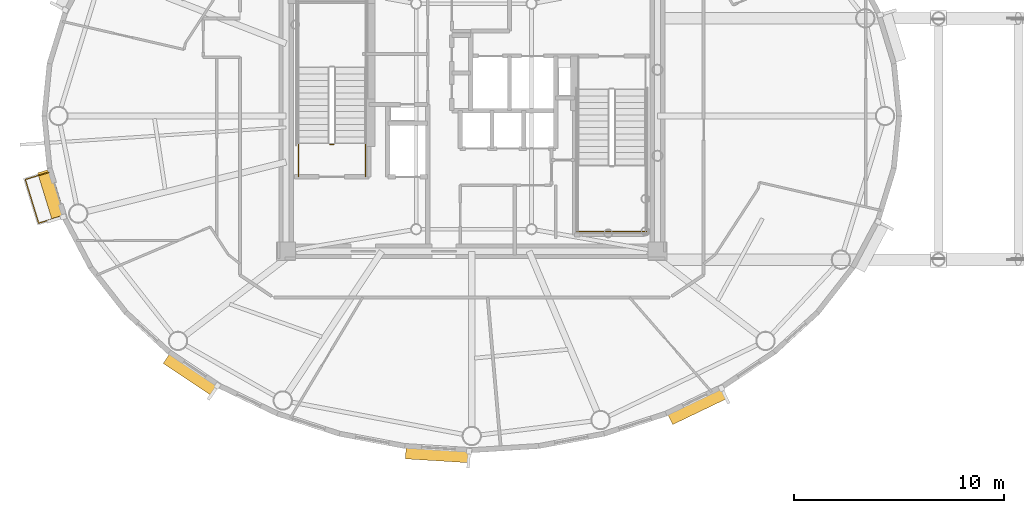
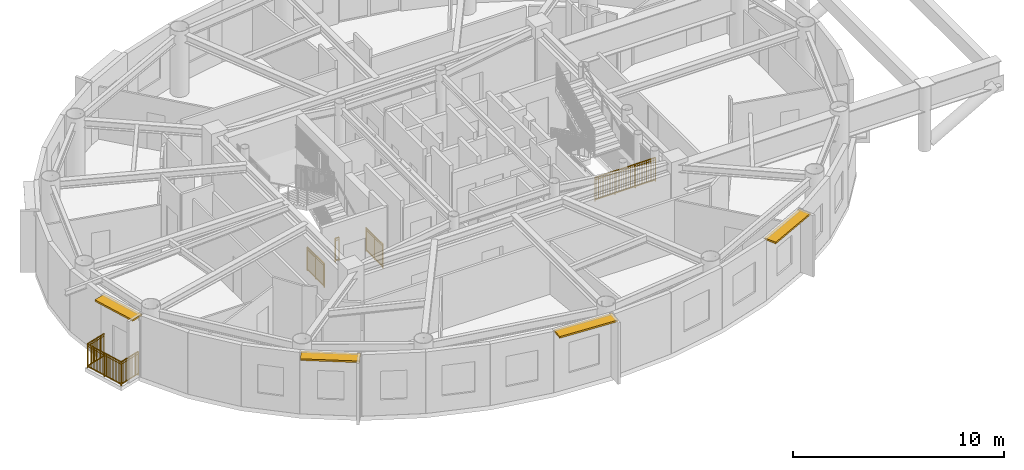
# One storey, part 13 of 19: 5 railings, 4 shading devices.
"""IFC4 building model written with IfcOpenShell, lengths in metres."""

from ifc_helpers import new_model, si_unit, direction, frame, origin, origin_2d, place, context, subcontext, project, spatial, rectangle, extrude, source, transform, mapped, material, layer, layer_set, type_object, element, save


model = new_model("IFC4")

# Units and contexts
model_context = context("Model", 3, precision=1e-05, world=origin(), true_north=direction((0.0, 1.0)))
body_context = subcontext(model_context, "Body", "Model", "MODEL_VIEW")
ifc_project = project(units=[si_unit("LENGTHUNIT", "METRE"), si_unit("AREAUNIT", "SQUARE_METRE"), si_unit("VOLUMEUNIT", "CUBIC_METRE"), si_unit("PLANEANGLEUNIT", "RADIAN"), si_unit("MASSUNIT", "GRAM", prefix="KILO")], contexts=[model_context])

# Site, building, storey
site_placement = place(None, origin())
site = spatial("IfcSite", under=ifc_project, at=site_placement, CompositionType="ELEMENT")
building_placement = place(site_placement, origin())
building = spatial("IfcBuilding", under=site, at=building_placement, Name="Linh Dai School and Residence Tower", CompositionType="ELEMENT")
storey_placement = place(building_placement, frame((0.0, 0.0, 339.199951171875)))
storey = spatial("IfcBuildingStorey", under=building, at=storey_placement, Name="L84", CompositionType="ELEMENT", Elevation=339.199951171875)

# Shading devices
ifc_material_1 = material(Name="Terracotta Ceramic Sunshade", Category="masonry")
ifc_layer = layer(ifc_material_1, 0.10009765625)
ifc_layer_set = layer_set([ifc_layer], Name="Terracotta Ceramic Sunshade")
shading_device_type = type_object("IfcShadingDeviceType", Name="SHD-TC-650", PredefinedType="USERDEFINED", material=ifc_layer_set)
shared_shape_1 = source(origin(), body_context, "Body", "SweptSolid", [
    extrude(rectangle(XDim=2.4365234375, YDim=0.64990234375, at=origin_2d()), origin(), (0.0, 0.0, 1.0), 0.10009765625),
])
shading_device_1_placement = place(storey_placement, frame((15.974365234375, 23.21630859375, 3.429931640625), z_axis=(0.0, 0.0, 1.0), x_axis=(-0.293094784248, 0.956083389379, 0.0)))
element("IfcShadingDevice", 1, at=shading_device_1_placement, inside=storey, type_object=shading_device_type, Name="L84 Terracotta Horizontal Sunshade Band 22", ObjectType="SUNSHADE", PredefinedType="USERDEFINED", context=body_context, shape_type="MappedRepresentation", body=[
    mapped(shared_shape_1, transform((0.0, 0.0, 0.0), x_axis=(1.0, 0.0, 0.0), y_axis=(0.0, 1.0, 0.0), z_axis=(0.0, 0.0, 1.0), scale=1.0)),
])
shared_shape_2 = source(origin(), body_context, "Body", "SweptSolid", [
    extrude(rectangle(XDim=2.8076171875, YDim=0.64990234375, at=origin_2d()), origin(), (0.0, 0.0, 1.0), 0.10009765625),
])
shading_device_2_placement = place(storey_placement, frame((22.638427734375, 14.696044921875, 3.429931640625), z_axis=(0.0, 0.0, 1.0), x_axis=(-0.831201837679, 0.555970777144, 0.0)))
element("IfcShadingDevice", 2, at=shading_device_2_placement, inside=storey, type_object=shading_device_type, Name="L84 Terracotta Horizontal Sunshade Band 26", ObjectType="SUNSHADE", PredefinedType="USERDEFINED", context=body_context, shape_type="MappedRepresentation", body=[
    mapped(shared_shape_2, transform((0.0, 0.0, 0.0), x_axis=(1.0, 0.0, 0.0), y_axis=(0.0, 1.0, 0.0), z_axis=(0.0, 0.0, 1.0), scale=1.0)),
])
shared_shape_3 = source(origin(), body_context, "Body", "SweptSolid", [
    extrude(rectangle(XDim=3.069580078125, YDim=0.64990234375, at=origin_2d()), origin(), (0.0, 0.0, 1.0), 0.10009765625),
])
shading_device_3_placement = place(storey_placement, frame((34.38671875, 10.8837890625, 3.429931640625), z_axis=(0.0, 0.0, 1.0), x_axis=(-0.998105945335, 0.061518467854, 0.0)))
element("IfcShadingDevice", 3, at=shading_device_3_placement, inside=storey, type_object=shading_device_type, Name="L84 Terracotta Horizontal Sunshade Band 30", ObjectType="SUNSHADE", PredefinedType="USERDEFINED", context=body_context, shape_type="MappedRepresentation", body=[
    mapped(shared_shape_3, transform((0.0, 0.0, 0.0), x_axis=(1.0, 0.0, 0.0), y_axis=(0.0, 1.0, 0.0), z_axis=(0.0, 0.0, 1.0), scale=1.0)),
])
shared_shape_4 = source(origin(), body_context, "Body", "SweptSolid", [
    extrude(rectangle(XDim=2.904052734375, YDim=0.64990234375, at=origin_2d()), origin(), (0.0, 0.0, 1.0), 0.10009765625),
])
shading_device_4_placement = place(storey_placement, frame((46.74755859375, 13.20849609375, 3.429931640625), z_axis=(0.0, 0.0, 1.0), x_axis=(-0.901550652892, -0.432673572419, 0.0)))
element("IfcShadingDevice", 4, at=shading_device_4_placement, inside=storey, type_object=shading_device_type, Name="L84 Terracotta Horizontal Sunshade Band 34", ObjectType="SUNSHADE", PredefinedType="USERDEFINED", context=body_context, shape_type="MappedRepresentation", body=[
    mapped(shared_shape_4, transform((0.0, 0.0, 0.0), x_axis=(1.0, 0.0, 0.0), y_axis=(0.0, 1.0, 0.0), z_axis=(0.0, 0.0, 1.0), scale=1.0)),
])

# Railings
ifc_material_2 = material(Name="Structural Steel S355JR", Category="steel")
railing_type_1 = type_object("IfcRailingType", Name="RL-BAL-1400", PredefinedType="BALUSTRADE", material=ifc_material_2)
shared_shape_5 = source(origin(), body_context, "Body", "SweptSolid", [
    extrude(rectangle(XDim=0.048095703125, YDim=0.048095703125, at=origin_2d()), frame((0.0, 0.0, 1.3759765625), z_axis=(-0.95606039398, -0.293169785386, 0.0), x_axis=(0.293169785386, -0.95606039398, 0.0)), (0.0, 0.0, 1.0), 1.179931640625),
    extrude(rectangle(XDim=0.048095703125, YDim=0.048095703125, at=origin_2d()), frame((0.0, 0.0, 0.10009765625), z_axis=(-0.95606039398, -0.293169785386, 0.0), x_axis=(0.293169785386, -0.95606039398, 0.0)), (0.0, 0.0, 1.0), 1.179931640625),
    extrude(rectangle(XDim=0.030029296875, YDim=0.030029296875, at=origin_2d()), frame((0.0, 0.0, 1.239990234375), z_axis=(-0.95606039398, -0.293169785386, 0.0), x_axis=(0.293169785386, -0.95606039398, 0.0)), (0.0, 0.0, 1.0), 1.179931640625),
    extrude(rectangle(XDim=0.02001953125, YDim=0.02001953125, at=origin_2d()), frame((-0.086669921875, -0.026611328125, 0.10009765625)), (0.0, 0.0, 1.0), 1.251708984375),
    extrude(rectangle(XDim=0.02001953125, YDim=0.02001953125, at=origin_2d()), frame((-0.173583984375, -0.05322265625, 0.10009765625)), (0.0, 0.0, 1.0), 1.251708984375),
    extrude(rectangle(XDim=0.02001953125, YDim=0.02001953125, at=origin_2d()), frame((-0.26025390625, -0.079833984375, 0.10009765625)), (0.0, 0.0, 1.0), 1.251708984375),
    extrude(rectangle(XDim=0.02001953125, YDim=0.02001953125, at=origin_2d()), frame((-0.34716796875, -0.1064453125, 0.10009765625)), (0.0, 0.0, 1.0), 1.251708984375),
    extrude(rectangle(XDim=0.02001953125, YDim=0.02001953125, at=origin_2d()), frame((-0.433837890625, -0.133056640625, 0.10009765625)), (0.0, 0.0, 1.0), 1.251708984375),
    extrude(rectangle(XDim=0.02001953125, YDim=0.02001953125, at=origin_2d()), frame((-0.520751953125, -0.15966796875, 0.10009765625)), (0.0, 0.0, 1.0), 1.251708984375),
    extrude(rectangle(XDim=0.02001953125, YDim=0.02001953125, at=origin_2d()), frame((-0.607421875, -0.186279296875, 0.10009765625)), (0.0, 0.0, 1.0), 1.251708984375),
    extrude(rectangle(XDim=0.02001953125, YDim=0.02001953125, at=origin_2d()), frame((-0.6943359375, -0.212890625, 0.10009765625)), (0.0, 0.0, 1.0), 1.251708984375),
    extrude(rectangle(XDim=0.02001953125, YDim=0.02001953125, at=origin_2d()), frame((-0.781005859375, -0.239501953125, 0.10009765625)), (0.0, 0.0, 1.0), 1.251708984375),
    extrude(rectangle(XDim=0.02001953125, YDim=0.02001953125, at=origin_2d()), frame((-0.867919921875, -0.26611328125, 0.10009765625)), (0.0, 0.0, 1.0), 1.251708984375),
    extrude(rectangle(XDim=0.02001953125, YDim=0.02001953125, at=origin_2d()), frame((-0.95458984375, -0.292724609375, 0.10009765625)), (0.0, 0.0, 1.0), 1.251708984375),
    extrude(rectangle(XDim=0.02001953125, YDim=0.02001953125, at=origin_2d()), frame((-1.04150390625, -0.3193359375, 0.10009765625)), (0.0, 0.0, 1.0), 1.251708984375),
    extrude(rectangle(XDim=0.048095703125, YDim=0.048095703125, at=origin_2d()), frame((-1.128173828125, -0.345947265625, 1.3759765625), z_axis=(-0.293101166135, 0.956081432939, 0.0), x_axis=(-0.956081432939, -0.293101166135, 0.0)), (0.0, 0.0, 1.0), 2.17822265625),
    extrude(rectangle(XDim=0.048095703125, YDim=0.048095703125, at=origin_2d()), frame((-1.128173828125, -0.345947265625, 0.10009765625), z_axis=(-0.293101166135, 0.956081432939, 0.0), x_axis=(-0.956081432939, -0.293101166135, 0.0)), (0.0, 0.0, 1.0), 2.17822265625),
    extrude(rectangle(XDim=0.030029296875, YDim=0.030029296875, at=origin_2d()), frame((-1.128173828125, -0.345947265625, 1.239990234375), z_axis=(-0.293101166135, 0.956081432939, 0.0), x_axis=(-0.956081432939, -0.293101166135, 0.0)), (0.0, 0.0, 1.0), 2.17822265625),
    extrude(rectangle(XDim=0.02001953125, YDim=0.02001953125, at=origin_2d()), frame((-1.156005859375, -0.25537109375, 0.10009765625)), (0.0, 0.0, 1.0), 1.251708984375),
    extrude(rectangle(XDim=0.02001953125, YDim=0.02001953125, at=origin_2d()), frame((-1.18359375, -0.164794921875, 0.10009765625)), (0.0, 0.0, 1.0), 1.251708984375),
    extrude(rectangle(XDim=0.02001953125, YDim=0.02001953125, at=origin_2d()), frame((-1.21142578125, -0.07421875, 0.10009765625)), (0.0, 0.0, 1.0), 1.251708984375),
    extrude(rectangle(XDim=0.02001953125, YDim=0.02001953125, at=origin_2d()), frame((-1.2392578125, 0.01611328125, 0.10009765625)), (0.0, 0.0, 1.0), 1.251708984375),
    extrude(rectangle(XDim=0.02001953125, YDim=0.02001953125, at=origin_2d()), frame((-1.266845703125, 0.106689453125, 0.10009765625)), (0.0, 0.0, 1.0), 1.251708984375),
    extrude(rectangle(XDim=0.02001953125, YDim=0.02001953125, at=origin_2d()), frame((-1.294677734375, 0.197265625, 0.10009765625)), (0.0, 0.0, 1.0), 1.251708984375),
    extrude(rectangle(XDim=0.02001953125, YDim=0.02001953125, at=origin_2d()), frame((-1.322509765625, 0.287841796875, 0.10009765625)), (0.0, 0.0, 1.0), 1.251708984375),
    extrude(rectangle(XDim=0.02001953125, YDim=0.02001953125, at=origin_2d()), frame((-1.350341796875, 0.37841796875, 0.10009765625)), (0.0, 0.0, 1.0), 1.251708984375),
    extrude(rectangle(XDim=0.02001953125, YDim=0.02001953125, at=origin_2d()), frame((-1.3779296875, 0.468994140625, 0.10009765625)), (0.0, 0.0, 1.0), 1.251708984375),
    extrude(rectangle(XDim=0.02001953125, YDim=0.02001953125, at=origin_2d()), frame((-1.40576171875, 0.5595703125, 0.10009765625)), (0.0, 0.0, 1.0), 1.251708984375),
    extrude(rectangle(XDim=0.02001953125, YDim=0.02001953125, at=origin_2d()), frame((-1.43359375, 0.650146484375, 0.10009765625)), (0.0, 0.0, 1.0), 1.251708984375),
    extrude(rectangle(XDim=0.02001953125, YDim=0.02001953125, at=origin_2d()), frame((-1.461181640625, 0.740478515625, 0.10009765625)), (0.0, 0.0, 1.0), 1.251708984375),
    extrude(rectangle(XDim=0.02001953125, YDim=0.02001953125, at=origin_2d()), frame((-1.489013671875, 0.8310546875, 0.10009765625)), (0.0, 0.0, 1.0), 1.251708984375),
    extrude(rectangle(XDim=0.02001953125, YDim=0.02001953125, at=origin_2d()), frame((-1.516845703125, 0.921630859375, 0.10009765625)), (0.0, 0.0, 1.0), 1.251708984375),
    extrude(rectangle(XDim=0.02001953125, YDim=0.02001953125, at=origin_2d()), frame((-1.54443359375, 1.01220703125, 0.10009765625)), (0.0, 0.0, 1.0), 1.251708984375),
    extrude(rectangle(XDim=0.02001953125, YDim=0.02001953125, at=origin_2d()), frame((-1.572265625, 1.102783203125, 0.10009765625)), (0.0, 0.0, 1.0), 1.251708984375),
    extrude(rectangle(XDim=0.02001953125, YDim=0.02001953125, at=origin_2d()), frame((-1.60009765625, 1.193359375, 0.10009765625)), (0.0, 0.0, 1.0), 1.251708984375),
    extrude(rectangle(XDim=0.02001953125, YDim=0.02001953125, at=origin_2d()), frame((-1.6279296875, 1.283935546875, 0.10009765625)), (0.0, 0.0, 1.0), 1.251708984375),
    extrude(rectangle(XDim=0.02001953125, YDim=0.02001953125, at=origin_2d()), frame((-1.655517578125, 1.37451171875, 0.10009765625)), (0.0, 0.0, 1.0), 1.251708984375),
    extrude(rectangle(XDim=0.02001953125, YDim=0.02001953125, at=origin_2d()), frame((-1.683349609375, 1.46484375, 0.10009765625)), (0.0, 0.0, 1.0), 1.251708984375),
    extrude(rectangle(XDim=0.02001953125, YDim=0.02001953125, at=origin_2d()), frame((-1.711181640625, 1.555419921875, 0.10009765625)), (0.0, 0.0, 1.0), 1.251708984375),
    extrude(rectangle(XDim=0.02001953125, YDim=0.02001953125, at=origin_2d()), frame((-1.73876953125, 1.64599609375, 0.10009765625)), (0.0, 0.0, 1.0), 1.251708984375),
    extrude(rectangle(XDim=0.048095703125, YDim=0.048095703125, at=origin_2d()), frame((-1.7666015625, 1.736572265625, 1.3759765625), z_axis=(0.956118368895, 0.292980655779, 0.0), x_axis=(-0.292980655779, 0.956118368895, 0.0)), (0.0, 0.0, 1.0), 1.179931640625),
    extrude(rectangle(XDim=0.048095703125, YDim=0.048095703125, at=origin_2d()), frame((-1.7666015625, 1.736572265625, 0.10009765625), z_axis=(0.956118368895, 0.292980655779, 0.0), x_axis=(-0.292980655779, 0.956118368895, 0.0)), (0.0, 0.0, 1.0), 1.179931640625),
    extrude(rectangle(XDim=0.030029296875, YDim=0.030029296875, at=origin_2d()), frame((-1.7666015625, 1.736572265625, 1.239990234375), z_axis=(0.956118368895, 0.292980655779, 0.0), x_axis=(-0.292980655779, 0.956118368895, 0.0)), (0.0, 0.0, 1.0), 1.179931640625),
    extrude(rectangle(XDim=0.02001953125, YDim=0.02001953125, at=origin_2d()), frame((-1.679931640625, 1.76318359375, 0.10009765625)), (0.0, 0.0, 1.0), 1.251708984375),
    extrude(rectangle(XDim=0.02001953125, YDim=0.02001953125, at=origin_2d()), frame((-1.593017578125, 1.789794921875, 0.10009765625)), (0.0, 0.0, 1.0), 1.251708984375),
    extrude(rectangle(XDim=0.02001953125, YDim=0.02001953125, at=origin_2d()), frame((-1.50634765625, 1.81640625, 0.10009765625)), (0.0, 0.0, 1.0), 1.251708984375),
    extrude(rectangle(XDim=0.02001953125, YDim=0.02001953125, at=origin_2d()), frame((-1.41943359375, 1.843017578125, 0.10009765625)), (0.0, 0.0, 1.0), 1.251708984375),
    extrude(rectangle(XDim=0.02001953125, YDim=0.02001953125, at=origin_2d()), frame((-1.332763671875, 1.86962890625, 0.10009765625)), (0.0, 0.0, 1.0), 1.251708984375),
    extrude(rectangle(XDim=0.02001953125, YDim=0.02001953125, at=origin_2d()), frame((-1.245849609375, 1.896240234375, 0.10009765625)), (0.0, 0.0, 1.0), 1.251708984375),
    extrude(rectangle(XDim=0.02001953125, YDim=0.02001953125, at=origin_2d()), frame((-1.1591796875, 1.922607421875, 0.10009765625)), (0.0, 0.0, 1.0), 1.251708984375),
    extrude(rectangle(XDim=0.02001953125, YDim=0.02001953125, at=origin_2d()), frame((-1.072265625, 1.94921875, 0.10009765625)), (0.0, 0.0, 1.0), 1.251708984375),
    extrude(rectangle(XDim=0.02001953125, YDim=0.02001953125, at=origin_2d()), frame((-0.985595703125, 1.975830078125, 0.10009765625)), (0.0, 0.0, 1.0), 1.251708984375),
    extrude(rectangle(XDim=0.02001953125, YDim=0.02001953125, at=origin_2d()), frame((-0.898681640625, 2.00244140625, 0.10009765625)), (0.0, 0.0, 1.0), 1.251708984375),
    extrude(rectangle(XDim=0.02001953125, YDim=0.02001953125, at=origin_2d()), frame((-0.81201171875, 2.029052734375, 0.10009765625)), (0.0, 0.0, 1.0), 1.251708984375),
    extrude(rectangle(XDim=0.02001953125, YDim=0.02001953125, at=origin_2d()), frame((-0.72509765625, 2.0556640625, 0.10009765625)), (0.0, 0.0, 1.0), 1.251708984375),
    extrude(rectangle(XDim=0.0419921875, YDim=0.0419921875, at=origin_2d()), origin(), (0.0, 0.0, 1.0), 1.3759765625),
    extrude(rectangle(XDim=0.0419921875, YDim=0.0419921875, at=origin_2d()), frame((-1.128173828125, -0.345947265625, 0.0)), (0.0, 0.0, 1.0), 1.3759765625),
    extrude(rectangle(XDim=0.0419921875, YDim=0.0419921875, at=origin_2d()), frame((-1.447265625, 0.6953125, 0.0)), (0.0, 0.0, 1.0), 1.3759765625),
    extrude(rectangle(XDim=0.0419921875, YDim=0.0419921875, at=origin_2d()), frame((-1.7666015625, 1.736572265625, 0.0)), (0.0, 0.0, 1.0), 1.3759765625),
    extrude(rectangle(XDim=0.0419921875, YDim=0.0419921875, at=origin_2d()), frame((-0.638427734375, 2.082275390625, 0.0)), (0.0, 0.0, 1.0), 1.3759765625),
])
railing_1_placement = place(storey_placement, frame((16.48486328125, 22.23388671875, 0.0)))
element("IfcRailing", 5, at=railing_1_placement, inside=storey, type_object=railing_type_1, Name="L84 Balcony Safety Balustrade 22", PredefinedType="BALUSTRADE", context=body_context, shape_type="MappedRepresentation", body=[
    mapped(shared_shape_5, transform((0.0, 0.0, 0.0), x_axis=(1.0, 0.0, 0.0), y_axis=(0.0, 1.0, 0.0), z_axis=(0.0, 0.0, 1.0), scale=1.0)),
])
railing_type_2 = type_object("IfcRailingType", Name="RL-ST-GUARD-1400", PredefinedType="GUARDRAIL", material=ifc_material_2)
shared_shape_6 = source(origin(), body_context, "Body", "SweptSolid", [
    extrude(rectangle(XDim=0.048095703125, YDim=0.048095703125, at=origin_2d()), frame((0.0, 0.0, 1.3759765625), z_axis=(-1.0, 0.0, 0.0), x_axis=(0.0, -1.0, 0.0)), (0.0, 0.0, 1.0), 0.199951171875),
    extrude(rectangle(XDim=0.048095703125, YDim=0.048095703125, at=origin_2d()), frame((0.0, 0.0, 0.10009765625), z_axis=(-1.0, 0.0, 0.0), x_axis=(0.0, -1.0, 0.0)), (0.0, 0.0, 1.0), 0.199951171875),
    extrude(rectangle(XDim=0.030029296875, YDim=0.030029296875, at=origin_2d()), frame((0.0, 0.0, 1.239990234375), z_axis=(-1.0, 0.0, 0.0), x_axis=(0.0, -1.0, 0.0)), (0.0, 0.0, 1.0), 0.199951171875),
    extrude(rectangle(XDim=0.0419921875, YDim=0.0419921875, at=origin_2d()), origin(), (0.0, 0.0, 1.0), 1.3759765625),
    extrude(rectangle(XDim=0.0419921875, YDim=0.0419921875, at=origin_2d()), frame((-0.199951171875, 0.0, 0.0)), (0.0, 0.0, 1.0), 1.3759765625),
])
railing_2_placement = place(storey_placement, frame((29.429931640625, 25.64990234375, 0.0)))
element("IfcRailing", 6, at=railing_2_placement, inside=storey, type_object=railing_type_2, Name="L84 ST1 stair guard 7", PredefinedType="GUARDRAIL", context=body_context, shape_type="MappedRepresentation", body=[
    mapped(shared_shape_6, transform((0.0, 0.0, 0.0), x_axis=(1.0, 0.0, 0.0), y_axis=(0.0, 1.0, 0.0), z_axis=(0.0, 0.0, 1.0), scale=1.0)),
])
shared_shape_7 = source(origin(), body_context, "Body", "SweptSolid", [
    extrude(rectangle(XDim=0.048095703125, YDim=0.048095703125, at=origin_2d()), frame((0.0, 0.0, 1.3759765625), z_axis=(0.0, 1.0, 0.0), x_axis=(-1.0, 0.0, 0.0)), (0.0, 0.0, 1.0), 1.599853515625),
    extrude(rectangle(XDim=0.048095703125, YDim=0.048095703125, at=origin_2d()), frame((0.0, 0.0, 0.10009765625), z_axis=(0.0, 1.0, 0.0), x_axis=(-1.0, 0.0, 0.0)), (0.0, 0.0, 1.0), 1.599853515625),
    extrude(rectangle(XDim=0.030029296875, YDim=0.030029296875, at=origin_2d()), frame((0.0, 0.0, 1.239990234375), z_axis=(0.0, 1.0, 0.0), x_axis=(-1.0, 0.0, 0.0)), (0.0, 0.0, 1.0), 1.599853515625),
    extrude(rectangle(XDim=0.02001953125, YDim=0.02001953125, at=origin_2d()), frame((0.0, 0.093994140625, 0.10009765625)), (0.0, 0.0, 1.0), 1.251708984375),
    extrude(rectangle(XDim=0.02001953125, YDim=0.02001953125, at=origin_2d()), frame((0.0, 0.188232421875, 0.10009765625)), (0.0, 0.0, 1.0), 1.251708984375),
    extrude(rectangle(XDim=0.02001953125, YDim=0.02001953125, at=origin_2d()), frame((0.0, 0.2822265625, 0.10009765625)), (0.0, 0.0, 1.0), 1.251708984375),
    extrude(rectangle(XDim=0.02001953125, YDim=0.02001953125, at=origin_2d()), frame((0.0, 0.37646484375, 0.10009765625)), (0.0, 0.0, 1.0), 1.251708984375),
    extrude(rectangle(XDim=0.02001953125, YDim=0.02001953125, at=origin_2d()), frame((0.0, 0.470458984375, 0.10009765625)), (0.0, 0.0, 1.0), 1.251708984375),
    extrude(rectangle(XDim=0.02001953125, YDim=0.02001953125, at=origin_2d()), frame((0.0, 0.564697265625, 0.10009765625)), (0.0, 0.0, 1.0), 1.251708984375),
    extrude(rectangle(XDim=0.02001953125, YDim=0.02001953125, at=origin_2d()), frame((0.0, 0.65869140625, 0.10009765625)), (0.0, 0.0, 1.0), 1.251708984375),
    extrude(rectangle(XDim=0.02001953125, YDim=0.02001953125, at=origin_2d()), frame((0.0, 0.7529296875, 0.10009765625)), (0.0, 0.0, 1.0), 1.251708984375),
    extrude(rectangle(XDim=0.02001953125, YDim=0.02001953125, at=origin_2d()), frame((0.0, 0.846923828125, 0.10009765625)), (0.0, 0.0, 1.0), 1.251708984375),
    extrude(rectangle(XDim=0.02001953125, YDim=0.02001953125, at=origin_2d()), frame((0.0, 0.941162109375, 0.10009765625)), (0.0, 0.0, 1.0), 1.251708984375),
    extrude(rectangle(XDim=0.02001953125, YDim=0.02001953125, at=origin_2d()), frame((0.0, 1.03515625, 0.10009765625)), (0.0, 0.0, 1.0), 1.251708984375),
    extrude(rectangle(XDim=0.02001953125, YDim=0.02001953125, at=origin_2d()), frame((0.0, 1.12939453125, 0.10009765625)), (0.0, 0.0, 1.0), 1.251708984375),
    extrude(rectangle(XDim=0.02001953125, YDim=0.02001953125, at=origin_2d()), frame((0.0, 1.223388671875, 0.10009765625)), (0.0, 0.0, 1.0), 1.251708984375),
    extrude(rectangle(XDim=0.02001953125, YDim=0.02001953125, at=origin_2d()), frame((0.0, 1.317626953125, 0.10009765625)), (0.0, 0.0, 1.0), 1.251708984375),
    extrude(rectangle(XDim=0.02001953125, YDim=0.02001953125, at=origin_2d()), frame((0.0, 1.41162109375, 0.10009765625)), (0.0, 0.0, 1.0), 1.251708984375),
    extrude(rectangle(XDim=0.02001953125, YDim=0.02001953125, at=origin_2d()), frame((0.0, 1.505859375, 0.10009765625)), (0.0, 0.0, 1.0), 1.251708984375),
    extrude(rectangle(XDim=0.0419921875, YDim=0.0419921875, at=origin_2d()), origin(), (0.0, 0.0, 1.0), 1.3759765625),
    extrude(rectangle(XDim=0.0419921875, YDim=0.0419921875, at=origin_2d()), frame((0.0, 0.7998046875, 0.0)), (0.0, 0.0, 1.0), 1.3759765625),
    extrude(rectangle(XDim=0.0419921875, YDim=0.0419921875, at=origin_2d()), frame((0.0, 1.599853515625, 0.0)), (0.0, 0.0, 1.0), 1.3759765625),
])
for number, where, name in (
    (7, (30.929931640625, 24.10009765625, 0.0), "L84 ST1 stair guard 8"),
    (8, (27.72998046875, 24.10009765625, 0.0), "L84 ST1 stair guard 9"),
):
    element("IfcRailing", number, at=place(storey_placement, frame(where)), inside=storey, type_object=railing_type_2, Name=name, PredefinedType="GUARDRAIL", context=body_context, shape_type="MappedRepresentation", body=[
        mapped(shared_shape_7, transform((0.0, 0.0, 0.0), x_axis=(1.0, 0.0, 0.0), y_axis=(0.0, 1.0, 0.0), z_axis=(0.0, 0.0, 1.0), scale=1.0)),
    ])
shared_shape_8 = source(origin(), body_context, "Body", "SweptSolid", [
    extrude(rectangle(XDim=0.048095703125, YDim=0.048095703125, at=origin_2d()), frame((0.0, 0.0, 1.3759765625), z_axis=(1.0, 0.0, 0.0), x_axis=(0.0, 1.0, 0.0)), (0.0, 0.0, 1.0), 3.300048828125),
    extrude(rectangle(XDim=0.048095703125, YDim=0.048095703125, at=origin_2d()), frame((0.0, 0.0, 0.10009765625), z_axis=(1.0, 0.0, 0.0), x_axis=(0.0, 1.0, 0.0)), (0.0, 0.0, 1.0), 3.300048828125),
    extrude(rectangle(XDim=0.030029296875, YDim=0.030029296875, at=origin_2d()), frame((0.0, 0.0, 1.239990234375), z_axis=(1.0, 0.0, 0.0), x_axis=(0.0, 1.0, 0.0)), (0.0, 0.0, 1.0), 3.300048828125),
    extrude(rectangle(XDim=0.02001953125, YDim=0.02001953125, at=origin_2d()), frame((0.09716796875, 0.0, 0.10009765625)), (0.0, 0.0, 1.0), 1.251708984375),
    extrude(rectangle(XDim=0.02001953125, YDim=0.02001953125, at=origin_2d()), frame((0.194091796875, 0.0, 0.10009765625)), (0.0, 0.0, 1.0), 1.251708984375),
    extrude(rectangle(XDim=0.02001953125, YDim=0.02001953125, at=origin_2d()), frame((0.291259765625, 0.0, 0.10009765625)), (0.0, 0.0, 1.0), 1.251708984375),
    extrude(rectangle(XDim=0.02001953125, YDim=0.02001953125, at=origin_2d()), frame((0.38818359375, 0.0, 0.10009765625)), (0.0, 0.0, 1.0), 1.251708984375),
    extrude(rectangle(XDim=0.02001953125, YDim=0.02001953125, at=origin_2d()), frame((0.4853515625, 0.0, 0.10009765625)), (0.0, 0.0, 1.0), 1.251708984375),
    extrude(rectangle(XDim=0.02001953125, YDim=0.02001953125, at=origin_2d()), frame((0.582275390625, 0.0, 0.10009765625)), (0.0, 0.0, 1.0), 1.251708984375),
    extrude(rectangle(XDim=0.02001953125, YDim=0.02001953125, at=origin_2d()), frame((0.679443359375, 0.0, 0.10009765625)), (0.0, 0.0, 1.0), 1.251708984375),
    extrude(rectangle(XDim=0.02001953125, YDim=0.02001953125, at=origin_2d()), frame((0.7763671875, 0.0, 0.10009765625)), (0.0, 0.0, 1.0), 1.251708984375),
    extrude(rectangle(XDim=0.02001953125, YDim=0.02001953125, at=origin_2d()), frame((0.87353515625, 0.0, 0.10009765625)), (0.0, 0.0, 1.0), 1.251708984375),
    extrude(rectangle(XDim=0.02001953125, YDim=0.02001953125, at=origin_2d()), frame((0.970703125, 0.0, 0.10009765625)), (0.0, 0.0, 1.0), 1.251708984375),
    extrude(rectangle(XDim=0.02001953125, YDim=0.02001953125, at=origin_2d()), frame((1.164794921875, 0.0, 0.10009765625)), (0.0, 0.0, 1.0), 1.251708984375),
    extrude(rectangle(XDim=0.02001953125, YDim=0.02001953125, at=origin_2d()), frame((1.26171875, 0.0, 0.10009765625)), (0.0, 0.0, 1.0), 1.251708984375),
    extrude(rectangle(XDim=0.02001953125, YDim=0.02001953125, at=origin_2d()), frame((1.35888671875, 0.0, 0.10009765625)), (0.0, 0.0, 1.0), 1.251708984375),
    extrude(rectangle(XDim=0.02001953125, YDim=0.02001953125, at=origin_2d()), frame((1.455810546875, 0.0, 0.10009765625)), (0.0, 0.0, 1.0), 1.251708984375),
    extrude(rectangle(XDim=0.02001953125, YDim=0.02001953125, at=origin_2d()), frame((1.552978515625, 0.0, 0.10009765625)), (0.0, 0.0, 1.0), 1.251708984375),
    extrude(rectangle(XDim=0.02001953125, YDim=0.02001953125, at=origin_2d()), frame((1.64990234375, 0.0, 0.10009765625)), (0.0, 0.0, 1.0), 1.251708984375),
    extrude(rectangle(XDim=0.02001953125, YDim=0.02001953125, at=origin_2d()), frame((1.7470703125, 0.0, 0.10009765625)), (0.0, 0.0, 1.0), 1.251708984375),
    extrude(rectangle(XDim=0.02001953125, YDim=0.02001953125, at=origin_2d()), frame((1.84423828125, 0.0, 0.10009765625)), (0.0, 0.0, 1.0), 1.251708984375),
    extrude(rectangle(XDim=0.02001953125, YDim=0.02001953125, at=origin_2d()), frame((1.941162109375, 0.0, 0.10009765625)), (0.0, 0.0, 1.0), 1.251708984375),
    extrude(rectangle(XDim=0.02001953125, YDim=0.02001953125, at=origin_2d()), frame((2.038330078125, 0.0, 0.10009765625)), (0.0, 0.0, 1.0), 1.251708984375),
    extrude(rectangle(XDim=0.02001953125, YDim=0.02001953125, at=origin_2d()), frame((2.13525390625, 0.0, 0.10009765625)), (0.0, 0.0, 1.0), 1.251708984375),
    extrude(rectangle(XDim=0.02001953125, YDim=0.02001953125, at=origin_2d()), frame((2.329345703125, 0.0, 0.10009765625)), (0.0, 0.0, 1.0), 1.251708984375),
    extrude(rectangle(XDim=0.02001953125, YDim=0.02001953125, at=origin_2d()), frame((2.426513671875, 0.0, 0.10009765625)), (0.0, 0.0, 1.0), 1.251708984375),
    extrude(rectangle(XDim=0.02001953125, YDim=0.02001953125, at=origin_2d()), frame((2.523681640625, 0.0, 0.10009765625)), (0.0, 0.0, 1.0), 1.251708984375),
    extrude(rectangle(XDim=0.02001953125, YDim=0.02001953125, at=origin_2d()), frame((2.62060546875, 0.0, 0.10009765625)), (0.0, 0.0, 1.0), 1.251708984375),
    extrude(rectangle(XDim=0.02001953125, YDim=0.02001953125, at=origin_2d()), frame((2.7177734375, 0.0, 0.10009765625)), (0.0, 0.0, 1.0), 1.251708984375),
    extrude(rectangle(XDim=0.02001953125, YDim=0.02001953125, at=origin_2d()), frame((2.814697265625, 0.0, 0.10009765625)), (0.0, 0.0, 1.0), 1.251708984375),
    extrude(rectangle(XDim=0.02001953125, YDim=0.02001953125, at=origin_2d()), frame((2.911865234375, 0.0, 0.10009765625)), (0.0, 0.0, 1.0), 1.251708984375),
    extrude(rectangle(XDim=0.02001953125, YDim=0.02001953125, at=origin_2d()), frame((3.0087890625, 0.0, 0.10009765625)), (0.0, 0.0, 1.0), 1.251708984375),
    extrude(rectangle(XDim=0.02001953125, YDim=0.02001953125, at=origin_2d()), frame((3.10595703125, 0.0, 0.10009765625)), (0.0, 0.0, 1.0), 1.251708984375),
    extrude(rectangle(XDim=0.02001953125, YDim=0.02001953125, at=origin_2d()), frame((3.202880859375, 0.0, 0.10009765625)), (0.0, 0.0, 1.0), 1.251708984375),
    extrude(rectangle(XDim=0.0419921875, YDim=0.0419921875, at=origin_2d()), origin(), (0.0, 0.0, 1.0), 1.3759765625),
    extrude(rectangle(XDim=0.0419921875, YDim=0.0419921875, at=origin_2d()), frame((1.10009765625, 0.0, 0.0)), (0.0, 0.0, 1.0), 1.3759765625),
    extrude(rectangle(XDim=0.0419921875, YDim=0.0419921875, at=origin_2d()), frame((2.199951171875, 0.0, 0.0)), (0.0, 0.0, 1.0), 1.3759765625),
    extrude(rectangle(XDim=0.0419921875, YDim=0.0419921875, at=origin_2d()), frame((3.300048828125, 0.0, 0.0)), (0.0, 0.0, 1.0), 1.3759765625),
])
railing_3_placement = place(storey_placement, frame((41.02001953125, 21.5, 1.900146484375)))
element("IfcRailing", 9, at=railing_3_placement, inside=storey, type_object=railing_type_2, Name="L84 ST2 stair guard 5", PredefinedType="GUARDRAIL", context=body_context, shape_type="MappedRepresentation", body=[
    mapped(shared_shape_8, transform((0.0, 0.0, 0.0), x_axis=(1.0, 0.0, 0.0), y_axis=(0.0, 1.0, 0.0), z_axis=(0.0, 0.0, 1.0), scale=1.0)),
])

save(model, "model.ifc")
